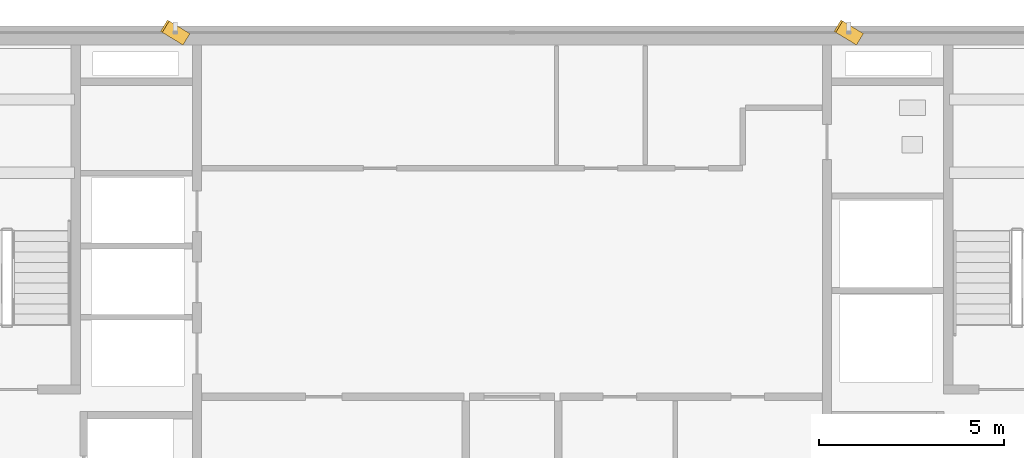
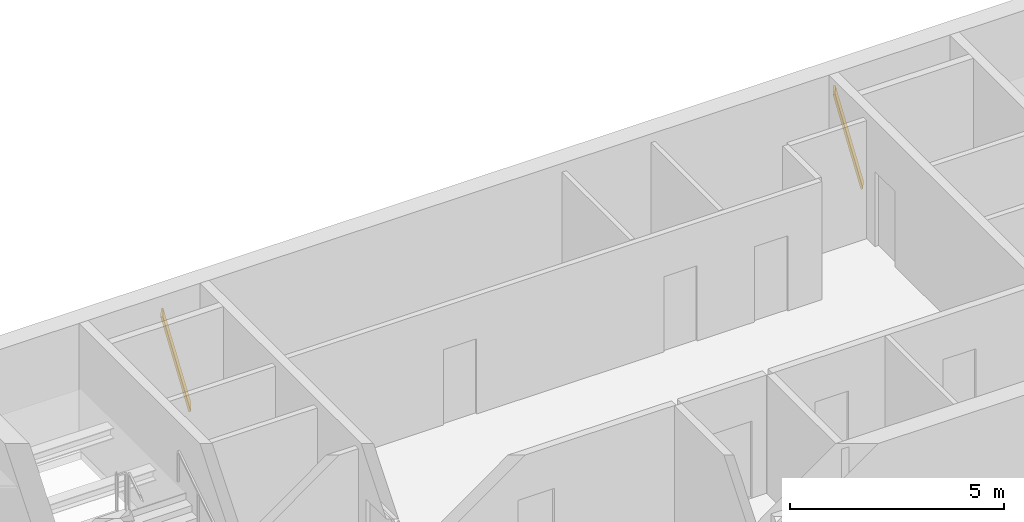
# One storey, part 30 of 31: 2 shading devices.
"""IFC4 building model written with IfcOpenShell, lengths in metres."""

from ifc_helpers import new_model, si_unit, direction, frame, origin, origin_2d, place, context, subcontext, project, spatial, rectangle, extrude, source, transform, mapped, material, material_profile, profile_set, type_object, element, save


model = new_model("IFC4")

# Units and contexts
model_context = context("Model", 3, precision=1e-05, world=origin(), true_north=direction((0.0, 1.0)))
body_context = subcontext(model_context, "Body", "Model", "MODEL_VIEW")
ifc_project = project(units=[si_unit("LENGTHUNIT", "METRE"), si_unit("AREAUNIT", "SQUARE_METRE"), si_unit("VOLUMEUNIT", "CUBIC_METRE"), si_unit("PLANEANGLEUNIT", "RADIAN"), si_unit("MASSUNIT", "GRAM", prefix="KILO")], contexts=[model_context])

# Site, building, storey
site_placement = place(None, origin())
site = spatial("IfcSite", under=ifc_project, at=site_placement, CompositionType="ELEMENT")
building_placement = place(site_placement, origin())
building = spatial("IfcBuilding", under=site, at=building_placement, Name="Sumidabori Civic Tower", CompositionType="ELEMENT")
storey_placement = place(building_placement, frame((0.0, 0.0, 221.60009765625)))
storey = spatial("IfcBuildingStorey", under=building, at=storey_placement, Name="L57", CompositionType="ELEMENT", Elevation=221.60009765625)

# Shading devices
ifc_material = material(Name="Anodised Bronze Aluminium AW-6063-T6", Category="aluminium")
ifc_material_profile = material_profile(ifc_material, rectangle(XDim=0.054931640625, YDim=0.360107421875, at=origin_2d()), Name="BRONZE FIN 360x55")
ifc_profile_set = profile_set([ifc_material_profile], Name="Anodised Bronze Aluminium AW-6063-T6")
shading_device_type = type_object("IfcShadingDeviceType", Name="SH-FIN-360", PredefinedType="USERDEFINED", material=ifc_profile_set)
shared_shape = source(origin(), body_context, "Body", "SweptSolid", [
    extrude(rectangle(XDim=0.054931640625, YDim=0.360107421875, at=origin_2d()), origin(), (0.0, 0.0, 1.0), 2.7783203125),
])
for number, where, z_axis, x_axis, name in (
    (1, (9.364990234375, 23.7099609375, 0.02001953125), (-0.201581748781, 0.122407748933, 0.971792746196), (0.830641884105, -0.504395878186, 0.235836507862), "Bronze Anodised Diagonal Fin L57-01"),
    (2, (-8.804931640625, 23.7099609375, 0.02001953125), (-0.201581748781, 0.122407748933, 0.971792746196), (0.830641884105, -0.504395878186, 0.235836507862), "Bronze Anodised Diagonal Fin L57-03"),
):
    element("IfcShadingDevice", number, at=place(storey_placement, frame(where, z_axis=z_axis, x_axis=x_axis)), inside=storey, type_object=shading_device_type, Name=name, ObjectType="FIN", PredefinedType="USERDEFINED", context=body_context, shape_type="MappedRepresentation", body=[
        mapped(shared_shape, transform((0.0, 0.0, 0.0), x_axis=(1.0, 0.0, 0.0), y_axis=(0.0, 1.0, 0.0), z_axis=(0.0, 0.0, 1.0), scale=1.0)),
    ])

save(model, "model.ifc")
